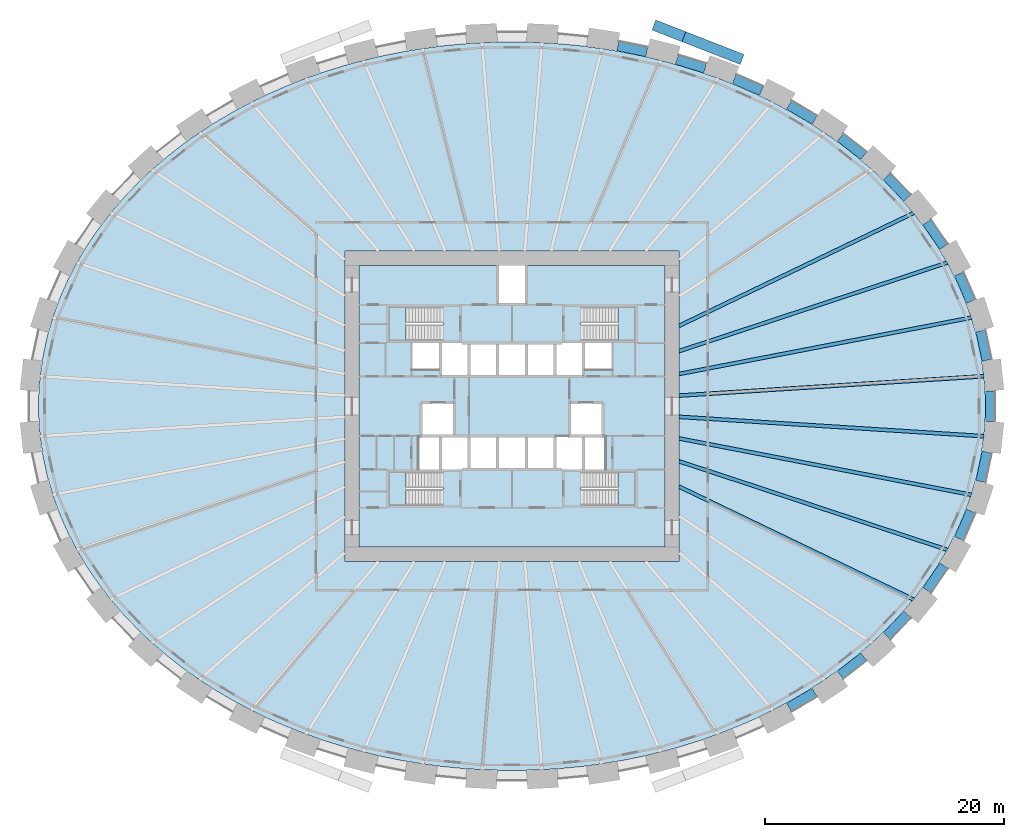
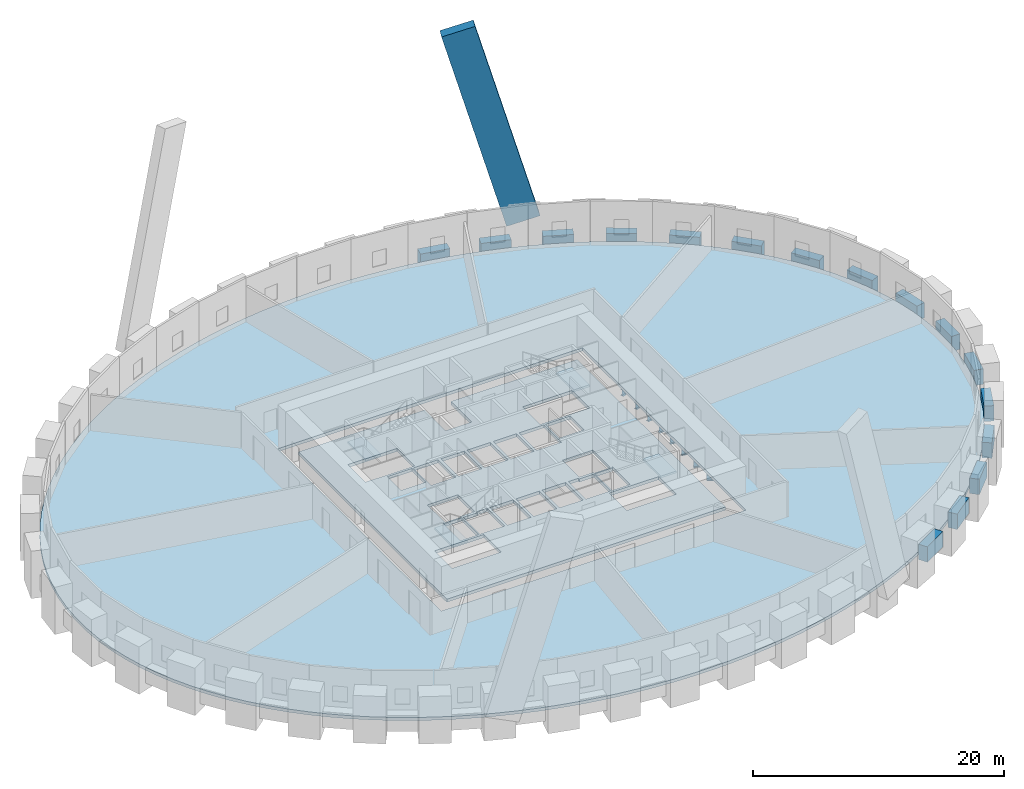
# One storey, part 2 of 9: 24 beams, 6 slabs, 1 member, 4 elements without a shape of their own.
"""IFC4 building model written with IfcOpenShell, lengths in metres."""

import ifcopenshell
import ifcopenshell.guid

model = None  # the IFC model being written
_history = None  # IfcOwnerHistory: only IFC2X3 demands one
_inside = {}  # id of a spatial element -> (the spatial element, [elements in it])
_under = {}  # id of a project, library or spatial element -> (it, [spatial elements below it])
_declared = {}  # id of a project -> (the project, [libraries it declares])
_typed = {}  # id of a type object -> (the type object, [elements of that type])
_made_of = {}  # id of a material, layer set ... -> (it, [elements and type objects made of it])


def new_model(schema):
    """Start an empty IFC model of exactly this schema.

    Asked for "IFC4X3", IfcOpenShell would pick the latest addendum, in which some entities
    have other attributes; the version numbers below select the first issue.
    IFC2X3 requires an IfcOwnerHistory on every rooted entity: one is made here for all.
    """
    global model, _history
    if schema == "IFC4X3":
        model = ifcopenshell.file(schema_version=(4, 3, 0, 0))
    else:
        model = ifcopenshell.file(schema=schema)
    _inside.clear()
    _under.clear()
    _declared.clear()
    _typed.clear()
    _made_of.clear()
    _history = None
    if model.schema == "IFC2X3":
        org = make("IfcOrganization", Name="unknown")
        user = make(
            "IfcPersonAndOrganization",
            ThePerson=make("IfcPerson", FamilyName="unknown"),
            TheOrganization=org,
        )
        app = make(
            "IfcApplication",
            ApplicationDeveloper=org,
            Version="unknown",
            ApplicationFullName="unknown",
            ApplicationIdentifier="unknown",
        )
        _history = make(
            "IfcOwnerHistory",
            OwningUser=user,
            OwningApplication=app,
            ChangeAction="ADDED",
            CreationDate=0,
        )
    return model


def make(cls, **values):
    """One entity of the class cls with the attributes given. An attribute that is None is left unset."""
    return model.create_entity(
        cls, **{name: value for name, value in values.items() if value is not None}
    )


def rooted(cls, **values):
    """An entity with a GlobalId (a new one), such as an element, a storey or a relation."""
    return make(cls, GlobalId=ifcopenshell.guid.new(), OwnerHistory=_history, **values)


def si_unit(unit_type, name, prefix=None):
    """IfcSIUnit, for example si_unit("LENGTHUNIT", "METRE", prefix="MILLI")."""
    return make("IfcSIUnit", UnitType=unit_type, Prefix=prefix, Name=name)


def assignment(units):
    """IfcUnitAssignment: the units of a project."""
    return None if units is None else make("IfcUnitAssignment", Units=units)


def point(xyz):
    """IfcCartesianPoint."""
    return None if xyz is None else make("IfcCartesianPoint", Coordinates=xyz)


def direction(xyz):
    """IfcDirection."""
    return None if xyz is None else make("IfcDirection", DirectionRatios=xyz)


def frame(location, z_axis=None, x_axis=None):
    """IfcAxis2Placement3D, a coordinate frame: its origin and axes. An axis left out is left unset."""
    return make(
        "IfcAxis2Placement3D",
        Location=point(location),
        Axis=direction(z_axis),
        RefDirection=direction(x_axis),
    )


def frame_2d(location, x_axis=None):
    """IfcAxis2Placement2D, a coordinate frame in the plane: its origin and x axis."""
    return make(
        "IfcAxis2Placement2D", Location=point(location), RefDirection=direction(x_axis)
    )


def origin():
    """The frame at (0, 0, 0) with its axes left unset."""
    return frame((0.0, 0.0, 0.0))


def origin_2d():
    """The frame at (0, 0) in the plane with its x axis left unset."""
    return frame_2d((0.0, 0.0))


def place(relative_to, where):
    """IfcLocalPlacement: puts the frame where relative to a parent placement (None: the world)."""
    return make(
        "IfcLocalPlacement", PlacementRelTo=relative_to, RelativePlacement=where
    )


def context(
    kind, dimensions, precision=None, world=None, true_north=None, identifier=None
):
    """IfcGeometricRepresentationContext, for example the 3D "Model" context."""
    return make(
        "IfcGeometricRepresentationContext",
        ContextIdentifier=identifier,
        ContextType=kind,
        CoordinateSpaceDimension=dimensions,
        Precision=precision,
        WorldCoordinateSystem=world,
        TrueNorth=true_north,
    )


def subcontext(parent, identifier, kind, view, scale=None):
    """IfcGeometricRepresentationSubContext, for example "Body" below "Model"."""
    return make(
        "IfcGeometricRepresentationSubContext",
        ContextIdentifier=identifier,
        ContextType=kind,
        ParentContext=parent,
        TargetScale=scale,
        TargetView=view,
    )


def project(units=None, contexts=None):
    """IfcProject with its units and contexts."""
    return rooted(
        "IfcProject",
        Name="project",
        RepresentationContexts=contexts,
        UnitsInContext=assignment(units),
    )


def spatial(cls, under=None, at=None, **own):
    """A site, building, storey or space (cls), placed at a placement, below another one or the project."""
    s = rooted(cls, ObjectPlacement=at, **own)
    if under is not None:
        _under.setdefault(under.id(), (under, []))[1].append(s)
    return s


def polyline(points):
    """IfcPolyline through the points."""
    return make("IfcPolyline", Points=[point(p) for p in points])


def profile(cls, at=None, kind="AREA", **sizes):
    """A parametric profile (cls). Its sizes go by their IFC names, for example OverallWidth=200.0."""
    return make(cls, ProfileType=kind, Position=at, **sizes)


def rectangle(**sizes):
    """IfcRectangleProfileDef."""
    return profile("IfcRectangleProfileDef", **sizes)


def i_section(**sizes):
    """IfcIShapeProfileDef."""
    return profile("IfcIShapeProfileDef", **sizes)


def outline(outer, holes=None, kind="AREA"):
    """IfcArbitraryClosedProfileDef: a profile drawn as a closed curve; with holes, ...WithVoids."""
    if holes is None:
        return make("IfcArbitraryClosedProfileDef", ProfileType=kind, OuterCurve=outer)
    return make(
        "IfcArbitraryProfileDefWithVoids",
        ProfileType=kind,
        OuterCurve=outer,
        InnerCurves=holes,
    )


def extrude(swept, where, along, depth):
    """IfcExtrudedAreaSolid: the profile swept, set in the frame where, extruded along a direction by depth."""
    return make(
        "IfcExtrudedAreaSolid",
        SweptArea=swept,
        Position=where,
        ExtrudedDirection=direction(along),
        Depth=depth,
    )


def shape(context_of_items, identifier, shape_type, items):
    """IfcShapeRepresentation: the items that make up one representation, for example the "Body"."""
    return make(
        "IfcShapeRepresentation",
        ContextOfItems=context_of_items,
        RepresentationIdentifier=identifier,
        RepresentationType=shape_type,
        Items=items,
    )


def source(mapping_origin, context_of_items, identifier, shape_type, items):
    """IfcRepresentationMap: a shape defined once, which mapped items show again and again."""
    return make(
        "IfcRepresentationMap",
        MappingOrigin=mapping_origin,
        MappedRepresentation=shape(context_of_items, identifier, shape_type, items),
    )


def transform(
    local_origin,
    x_axis=None,
    y_axis=None,
    z_axis=None,
    scale=None,
    scale2=None,
    scale3=None,
    uniform=True,
):
    """IfcCartesianTransformationOperator3D, or its non-uniform kind. x_axis, y_axis, z_axis: its Axis1, 2, 3."""
    if uniform:
        return make(
            "IfcCartesianTransformationOperator3D",
            Axis1=direction(x_axis),
            Axis2=direction(y_axis),
            LocalOrigin=point(local_origin),
            Scale=scale,
            Axis3=direction(z_axis),
        )
    return make(
        "IfcCartesianTransformationOperator3DnonUniform",
        Axis1=direction(x_axis),
        Axis2=direction(y_axis),
        LocalOrigin=point(local_origin),
        Scale=scale,
        Axis3=direction(z_axis),
        Scale2=scale2,
        Scale3=scale3,
    )


def mapped(mapping_source, mapping_target):
    """IfcMappedItem: shows the shape of a source again, moved by a transform."""
    return make(
        "IfcMappedItem", MappingSource=mapping_source, MappingTarget=mapping_target
    )


def material(Name=None, Category=None):
    """IfcMaterial."""
    return make("IfcMaterial", Name=Name, Category=Category)


def layer(
    of_material, thickness, ventilated=None, Name=None, Category=None, Priority=None
):
    """IfcMaterialLayer: one layer of a wall or slab, of a material (None: an air gap)."""
    return make(
        "IfcMaterialLayer",
        Material=of_material,
        LayerThickness=thickness,
        IsVentilated=ventilated,
        Name=Name,
        Category=Category,
        Priority=Priority,
    )


def layer_set(layers, Name=None):
    """IfcMaterialLayerSet."""
    return make("IfcMaterialLayerSet", MaterialLayers=layers, LayerSetName=Name)


def material_profile(
    of_material, cross_section, Name=None, Category=None, Priority=None
):
    """IfcMaterialProfile: a cross section and its material."""
    return make(
        "IfcMaterialProfile",
        Name=Name,
        Material=of_material,
        Profile=cross_section,
        Priority=Priority,
        Category=Category,
    )


def profile_set(profiles, Name=None, composite=None):
    """IfcMaterialProfileSet."""
    return make(
        "IfcMaterialProfileSet",
        Name=Name,
        MaterialProfiles=profiles,
        CompositeProfile=composite,
    )


def made_of(thing, what):
    """Note that an element or type object is made of a material, layer set ...; save() writes the relation."""
    if what is not None:
        _made_of.setdefault(what.id(), (what, []))[1].append(thing)
    return thing


def type_object(cls, material=None, **own):
    """A type object (cls), such as IfcWallType, which elements share."""
    return made_of(rooted(cls, **own), material)


def element(
    cls,
    number,
    at=None,
    inside=None,
    cuts=None,
    type_object=None,
    material=None,
    context=None,
    identifier="Body",
    shape_type=None,
    held_by="IfcProductDefinitionShape",
    body=None,
    shapes=None,
    **own,
):
    """One element of the class cls, such as IfcWall. Its Tag is "e" and its number.

    at: its placement. inside: the storey or other place that contains it. cuts: it is an
    opening in that element (IfcRelVoidsElement). A single representation is given by context,
    identifier, shape_type and body (its items); several are given by shapes. held_by: the class
    of the entity that holds the representations. save() writes the other relations.
    """
    e = rooted(cls, Tag="e%d" % number, ObjectPlacement=at, **own)
    if body is not None:
        shapes = [shape(context, identifier, shape_type, body)]
    if shapes is not None:
        e.Representation = make(held_by, Representations=shapes)
    if inside is not None:
        _inside.setdefault(inside.id(), (inside, []))[1].append(e)
    if cuts is not None:
        rooted(
            "IfcRelVoidsElement", RelatingBuildingElement=cuts, RelatedOpeningElement=e
        )
    if type_object is not None:
        _typed.setdefault(type_object.id(), (type_object, []))[1].append(e)
    return made_of(e, material)


def aggregate(whole, parts):
    """IfcRelAggregates: a whole, such as a stair, and the parts it consists of."""
    return rooted("IfcRelAggregates", RelatingObject=whole, RelatedObjects=parts)


def save(model, path):
    """Write the relations noted so far, then the file.

    IfcRelAggregates (storeys below a building ...), IfcRelContainedInSpatialStructure (elements
    in a storey), IfcRelDefinesByType, IfcRelAssociatesMaterial and IfcRelDeclares: one each for
    every whole, place, type object, material and project.
    """
    for whole, parts in _under.values():
        aggregate(whole, parts)
    for where, things in _inside.values():
        rooted(
            "IfcRelContainedInSpatialStructure",
            RelatedElements=things,
            RelatingStructure=where,
        )
    for kind, things in _typed.values():
        rooted("IfcRelDefinesByType", RelatedObjects=things, RelatingType=kind)
    for what, things in _made_of.values():
        rooted("IfcRelAssociatesMaterial", RelatedObjects=things, RelatingMaterial=what)
    for by, libraries in _declared.values():
        rooted("IfcRelDeclares", RelatingContext=by, RelatedDefinitions=libraries)
    model.write(path)


model = new_model("IFC4")

# Units and contexts
model_context = context("Model", 3, precision=1e-05, world=origin(), true_north=direction((0.0, 1.0)))
body_context = subcontext(model_context, "Body", "Model", "MODEL_VIEW")
ifc_project = project(units=[si_unit("LENGTHUNIT", "METRE"), si_unit("AREAUNIT", "SQUARE_METRE"), si_unit("VOLUMEUNIT", "CUBIC_METRE"), si_unit("PLANEANGLEUNIT", "RADIAN"), si_unit("MASSUNIT", "GRAM", prefix="KILO")], contexts=[model_context])

# Site, building, storey
site_placement = place(None, origin())
site = spatial("IfcSite", under=ifc_project, at=site_placement, CompositionType="ELEMENT")
building_placement = place(site_placement, origin())
building = spatial("IfcBuilding", under=site, at=building_placement, Name="Embergate Tower", CompositionType="ELEMENT")
storey_placement = place(building_placement, frame((0.0, 0.0, 53.60009765625)))
storey = spatial("IfcBuildingStorey", under=building, at=storey_placement, Name="L09", CompositionType="ELEMENT", Elevation=53.60009765625)

# Beams
ifc_material_1 = material(Name="Concrete C70", Category="concrete")
ifc_material_profile_1 = material_profile(ifc_material_1, rectangle(XDim=0.800048828125, YDim=1.5, at=origin_2d()), Name="RC 800x1500")
ifc_profile_set_1 = profile_set([ifc_material_profile_1], Name="Concrete C70")
beam_type_1 = type_object("IfcBeamType", Name="Spandrel beam RC 800x1500 C70", PredefinedType="BEAM", material=ifc_profile_set_1)
shared_shape_1 = source(origin(), body_context, "Body", "SweptSolid", [
    extrude(rectangle(XDim=0.800048828125, YDim=1.5, at=origin_2d()), origin(), (0.0, 0.0, 1.0), 2.51611328125),
])
for number, where, z_axis, x_axis, name in (
    (1, (39.764892578125, 3.843994140625, 0.0), (-0.210165177079, 0.977665893004, 0.0), (-0.977665893004, -0.210165177079, 0.0), "SPN-L09-00"),
    (2, (39.236083984375, -6.303955078125, 0.0), (0.210165177079, 0.977665893004, 0.0), (-0.977665893004, 0.210165177079, 0.0), "SPN-L09-42"),
):
    element("IfcBeam", number, at=place(storey_placement, frame(where, z_axis=z_axis, x_axis=x_axis)), inside=storey, type_object=beam_type_1, Name=name, PredefinedType="BEAM", context=body_context, shape_type="MappedRepresentation", body=[
        mapped(shared_shape_1, transform((0.0, 0.0, 0.0))),
    ])
shared_shape_2 = source(origin(), body_context, "Body", "SweptSolid", [
    extrude(rectangle(XDim=0.800048828125, YDim=1.5, at=origin_2d()), origin(), (0.0, 0.0, 1.0), 2.510986328125),
])
for number, where, z_axis, x_axis, name in (
    (3, (38.43603515625, 8.778076171875, 0.0), (-0.401451193612, 0.915880417493, 0.0), (-0.915880417493, -0.401451193612, 0.0), "SPN-L09-01"),
    (4, (37.427978515625, -11.077880859375, 0.0), (0.401451193612, 0.915880417493, 0.0), (-0.915880417493, 0.401451193612, 0.0), "SPN-L09-41"),
):
    element("IfcBeam", number, at=place(storey_placement, frame(where, z_axis=z_axis, x_axis=x_axis)), inside=storey, type_object=beam_type_1, Name=name, PredefinedType="BEAM", context=body_context, shape_type="MappedRepresentation", body=[
        mapped(shared_shape_2, transform((0.0, 0.0, 0.0))),
    ])
shared_shape_3 = source(origin(), body_context, "Body", "SweptSolid", [
    extrude(rectangle(XDim=0.800048828125, YDim=1.5, at=origin_2d()), origin(), (0.0, 0.0, 1.0), 2.502197265625),
])
for number, where, z_axis, x_axis, name in (
    (5, (36.152099609375, 13.343017578125, 0.0), (-0.562310021407, 0.82692650207, 0.0), (-0.82692650207, -0.562310021407, 0.0), "SPN-L09-02"),
    (6, (34.7451171875, -15.412109375, 0.0), (0.562310021407, 0.82692650207, 0.0), (-0.82692650207, 0.562310021407, 0.0), "SPN-L09-40"),
):
    element("IfcBeam", number, at=place(storey_placement, frame(where, z_axis=z_axis, x_axis=x_axis)), inside=storey, type_object=beam_type_1, Name=name, PredefinedType="BEAM", context=body_context, shape_type="MappedRepresentation", body=[
        mapped(shared_shape_3, transform((0.0, 0.0, 0.0))),
    ])
shared_shape_4 = source(origin(), body_context, "Body", "SweptSolid", [
    extrude(rectangle(XDim=0.800048828125, YDim=1.5, at=origin_2d()), origin(), (0.0, 0.0, 1.0), 2.495361328125),
])
for number, where, z_axis, x_axis, name in (
    (7, (33.111083984375, 17.43408203125, 0.0), (-0.690128960847, 0.723686408191, 0.0), (-0.723686408191, -0.690128960847, 0.0), "SPN-L09-03"),
    (8, (31.388916015625, -19.239990234375, 0.0), (0.690128960847, 0.723686408191, 0.0), (-0.723686408191, 0.690128960847, 0.0), "SPN-L09-39"),
):
    element("IfcBeam", number, at=place(storey_placement, frame(where, z_axis=z_axis, x_axis=x_axis)), inside=storey, type_object=beam_type_1, Name=name, PredefinedType="BEAM", context=body_context, shape_type="MappedRepresentation", body=[
        mapped(shared_shape_4, transform((0.0, 0.0, 0.0))),
    ])
shared_shape_5 = source(origin(), body_context, "Body", "SweptSolid", [
    extrude(rectangle(XDim=0.800048828125, YDim=1.5, at=origin_2d()), origin(), (0.0, 0.0, 1.0), 2.4873046875),
])
for number, where, z_axis, x_axis, name in (
    (9, (29.447998046875, 20.970947265625, 0.0), (-0.788405187861, 0.615156288885, 0.0), (-0.615156288885, -0.788405187861, 0.0), "SPN-L09-04"),
    (10, (27.487060546875, -22.5009765625, 0.0), (0.788405187861, 0.615156288885, 0.0), (-0.615156288885, 0.788405187861, 0.0), "SPN-L09-38"),
):
    element("IfcBeam", number, at=place(storey_placement, frame(where, z_axis=z_axis, x_axis=x_axis)), inside=storey, type_object=beam_type_1, Name=name, PredefinedType="BEAM", context=body_context, shape_type="MappedRepresentation", body=[
        mapped(shared_shape_5, transform((0.0, 0.0, 0.0))),
    ])
shared_shape_6 = source(origin(), body_context, "Body", "SweptSolid", [
    extrude(rectangle(XDim=0.800048828125, YDim=1.5, at=origin_2d()), origin(), (0.0, 0.0, 1.0), 2.4814453125),
])
for number, where, z_axis, x_axis, name in (
    (11, (25.3369140625, 23.962890625, 0.0), (-0.861956977044, 0.50698142937, 0.0), (-0.50698142937, -0.861956977044, 0.0), "SPN-L09-05"),
    (12, (23.197998046875, -25.220947265625, 0.0), (0.861956977044, 0.50698142937, 0.0), (-0.50698142937, 0.861956977044, 0.0), "SPN-L09-37"),
):
    element("IfcBeam", number, at=place(storey_placement, frame(where, z_axis=z_axis, x_axis=x_axis)), inside=storey, type_object=beam_type_1, Name=name, PredefinedType="BEAM", context=body_context, shape_type="MappedRepresentation", body=[
        mapped(shared_shape_6, transform((0.0, 0.0, 0.0))),
    ])
shared_shape_7 = source(origin(), body_context, "Body", "SweptSolid", [
    extrude(rectangle(XDim=0.800048828125, YDim=1.5, at=origin_2d()), origin(), (0.0, 0.0, 1.0), 2.47900390625),
])
beam_1_placement = place(storey_placement, frame((20.882080078125, 26.402099609375, 0.0), z_axis=(-0.916107600992, 0.400932492328, 0.0), x_axis=(-0.400932492328, -0.916107600992, 0.0)))
element("IfcBeam", 13, at=beam_1_placement, inside=storey, type_object=beam_type_1, Name="SPN-L09-06", PredefinedType="BEAM", context=body_context, shape_type="MappedRepresentation", body=[
    mapped(shared_shape_7, transform((0.0, 0.0, 0.0))),
])
shared_shape_8 = source(origin(), body_context, "Body", "SweptSolid", [
    extrude(rectangle(XDim=0.800048828125, YDim=1.5, at=origin_2d()), origin(), (0.0, 0.0, 1.0), 2.474853515625),
])
beam_2_placement = place(storey_placement, frame((16.16796875, 28.285888671875, 0.0), z_axis=(-0.954863616502, 0.297044565481, 0.0), x_axis=(-0.297044565481, -0.954863616502, 0.0)))
element("IfcBeam", 14, at=beam_2_placement, inside=storey, type_object=beam_type_1, Name="SPN-L09-07", PredefinedType="BEAM", context=body_context, shape_type="MappedRepresentation", body=[
    mapped(shared_shape_8, transform((0.0, 0.0, 0.0))),
])
shared_shape_9 = source(origin(), body_context, "Body", "SweptSolid", [
    extrude(rectangle(XDim=0.800048828125, YDim=1.5, at=origin_2d()), origin(), (0.0, 0.0, 1.0), 2.47119140625),
])
beam_3_placement = place(storey_placement, frame((11.285888671875, 29.6640625, 0.0), z_axis=(-0.980481752211, 0.196610105492, 0.0), x_axis=(-0.196610105492, -0.980481752211, 0.0)))
element("IfcBeam", 15, at=beam_3_placement, inside=storey, type_object=beam_type_1, Name="SPN-L09-08", PredefinedType="BEAM", context=body_context, shape_type="MappedRepresentation", body=[
    mapped(shared_shape_9, transform((0.0, 0.0, 0.0))),
])
shared_shape_10 = source(origin(), body_context, "Body", "SweptSolid", [
    extrude(rectangle(XDim=0.800048828125, YDim=1.5, at=origin_2d()), origin(), (0.0, 0.0, 1.0), 2.51806640625),
])
beam_4_placement = place(storey_placement, frame((40.0400390625, -1.259033203125, 0.0), z_axis=(0.0, 1.0, 0.0), x_axis=(-1.0, 0.0, 0.0)))
element("IfcBeam", 16, at=beam_4_placement, inside=storey, type_object=beam_type_1, Name="SPN-L09-43", PredefinedType="BEAM", context=body_context, shape_type="MappedRepresentation", body=[
    mapped(shared_shape_10, transform((0.0, 0.0, 0.0))),
])
ifc_material_2 = material(Name="Steel Q355B", Category="steel")
ifc_material_profile_2 = material_profile(ifc_material_2, i_section(OverallWidth=0.300048828125, OverallDepth=0.587890625, WebThickness=0.011962890625, FlangeThickness=0.02001953125, FilletRadius=0.012939453125, at=origin_2d()), Name="HM 588x300x12x20")
ifc_profile_set_2 = profile_set([ifc_material_profile_2], Name="Steel Q355 grade B")
beam_type_2 = type_object("IfcBeamType", Name="Plant girder HM 588x300x12x20", PredefinedType="BEAM", material=ifc_profile_set_2)
shared_shape_11 = source(origin(), body_context, "Body", "SweptSolid", [
    extrude(i_section(OverallWidth=0.300048828125, OverallDepth=0.587890625, WebThickness=0.011962890625, FlangeThickness=0.02001953125, FilletRadius=0.012939453125, at=origin_2d()), origin(), (0.0, 0.0, 1.0), 25.571533203125),
])
for number, where, z_axis, x_axis, name in (
    (17, (39.52001953125, 2.510009765625, -0.593994140625), (-0.997988535507, -0.063394660631, 0.0), (0.063394660631, -0.997988535507, 0.0), "GIR-L09-00"),
    (18, (39.52001953125, -2.510009765625, -0.593994140625), (-0.997988535507, 0.063394660631, 0.0), (-0.063394660631, -0.997988535507, 0.0), "GIR-L09-43"),
):
    element("IfcBeam", number, at=place(storey_placement, frame(where, z_axis=z_axis, x_axis=x_axis)), inside=storey, type_object=beam_type_2, Name=name, PredefinedType="BEAM", context=body_context, shape_type="MappedRepresentation", body=[
        mapped(shared_shape_11, transform((0.0, 0.0, 0.0))),
    ])
shared_shape_12 = source(origin(), body_context, "Body", "SweptSolid", [
    extrude(i_section(OverallWidth=0.300048828125, OverallDepth=0.587890625, WebThickness=0.011962890625, FlangeThickness=0.02001953125, FilletRadius=0.012939453125, at=origin_2d()), origin(), (0.0, 0.0, 1.0), 24.9150390625),
])
for number, where, z_axis, x_axis, name in (
    (19, (38.464111328125, 7.419921875, -0.593994140625), (-0.981899424358, -0.189403063454, 0.0), (0.189403063454, -0.981899424358, 0.0), "GIR-L09-01"),
    (20, (38.464111328125, -7.419921875, -0.593994140625), (-0.981899424358, 0.189403063454, 0.0), (-0.189403063454, -0.981899424358, 0.0), "GIR-L09-42"),
):
    element("IfcBeam", number, at=place(storey_placement, frame(where, z_axis=z_axis, x_axis=x_axis)), inside=storey, type_object=beam_type_2, Name=name, PredefinedType="BEAM", context=body_context, shape_type="MappedRepresentation", body=[
        mapped(shared_shape_12, transform((0.0, 0.0, 0.0))),
    ])
shared_shape_13 = source(origin(), body_context, "Body", "SweptSolid", [
    extrude(i_section(OverallWidth=0.300048828125, OverallDepth=0.587890625, WebThickness=0.011962890625, FlangeThickness=0.02001953125, FilletRadius=0.012939453125, at=origin_2d()), origin(), (0.0, 0.0, 1.0), 23.63623046875),
])
for number, where, z_axis, x_axis, name in (
    (21, (36.447021484375, 12.02001953125, -0.593994140625), (-0.949684547266, -0.313208015039, 0.0), (0.313208015039, -0.949684547266, 0.0), "GIR-L09-02"),
    (22, (36.447021484375, -12.02001953125, -0.593994140625), (-0.949684547266, 0.313208015039, 0.0), (-0.313208015039, -0.949684547266, 0.0), "GIR-L09-41"),
):
    element("IfcBeam", number, at=place(storey_placement, frame(where, z_axis=z_axis, x_axis=x_axis)), inside=storey, type_object=beam_type_2, Name=name, PredefinedType="BEAM", context=body_context, shape_type="MappedRepresentation", body=[
        mapped(shared_shape_13, transform((0.0, 0.0, 0.0))),
    ])
shared_shape_14 = source(origin(), body_context, "Body", "SweptSolid", [
    extrude(i_section(OverallWidth=0.300048828125, OverallDepth=0.587890625, WebThickness=0.011962890625, FlangeThickness=0.02001953125, FilletRadius=0.012939453125, at=origin_2d()), origin(), (0.0, 0.0, 1.0), 21.774169921875),
])
for number, where, z_axis, x_axis, name in (
    (23, (33.6220703125, 16.174072265625, -0.593994140625), (-0.901157760009, -0.433491282007, 0.0), (0.433491282007, -0.901157760009, 0.0), "GIR-L09-03"),
    (24, (33.6220703125, -16.174072265625, -0.593994140625), (-0.901157760009, 0.433491282007, 0.0), (-0.433491282007, -0.901157760009, 0.0), "GIR-L09-40"),
):
    element("IfcBeam", number, at=place(storey_placement, frame(where, z_axis=z_axis, x_axis=x_axis)), inside=storey, type_object=beam_type_2, Name=name, PredefinedType="BEAM", context=body_context, shape_type="MappedRepresentation", body=[
        mapped(shared_shape_14, transform((0.0, 0.0, 0.0))),
    ])

# Member
ifc_material_profile_3 = material_profile(ifc_material_1, rectangle(XDim=0.89990234375, YDim=2.800048828125, at=origin_2d()), Name="RC 900x2800")
ifc_profile_set_3 = profile_set([ifc_material_profile_3], Name="Concrete C70")
member_type = type_object("IfcMemberType", Name="Lattice diagonal terracotta-faced RC 900x2800", PredefinedType="BRACE", material=ifc_profile_set_3)
shared_shape_15 = source(origin(), body_context, "Body", "SweptSolid", [
    extrude(rectangle(XDim=0.89990234375, YDim=2.800048828125, at=origin_2d()), origin(), (0.0, 0.0, 1.0), 19.65771484375),
])
member_placement = place(storey_placement, frame((18.01611328125, 29.529052734375, 1.185791015625), z_axis=(-0.248206848968, 0.096860906435, 0.963852335646), x_axis=(-0.363541498988, -0.931578004524, 0.0)))
element("IfcMember", 25, at=member_placement, inside=storey, type_object=member_type, Name="BRP-N-0-02", PredefinedType="BRACE", context=body_context, shape_type="MappedRepresentation", body=[
    mapped(shared_shape_15, transform((0.0, 0.0, 0.0))),
])

# Slab
ifc_material_3 = material(Name="Concrete C50", Category="concrete")
ifc_layer_1 = layer(ifc_material_3, 0.300048828125)
ifc_layer_set_1 = layer_set([ifc_layer_1], Name="Concrete C50")
slab_type_1 = type_object("IfcSlabType", Name="Plant floor slab C50 300", PredefinedType="FLOOR", material=ifc_layer_set_1)
shared_shape_16 = source(origin(), body_context, "Body", "SweptSolid", [
    extrude(outline(polyline([(0.0, 0.0), (1.67822265625, 0.0), (3.35302734375, 0.053955078125), (5.030029296875, 0.1640625), (6.69921875, 0.328125), (8.358154296875, 0.546142578125), (10.01904296875, 0.822021484375), (11.6640625, 1.151123046875), (13.2880859375, 1.53515625), (14.916015625, 1.97998046875), (16.51708984375, 2.47802734375), (18.089111328125, 3.030029296875), (19.6630859375, 3.649169921875), (21.2001953125, 4.321044921875), (22.696044921875, 5.045166015625), (24.191162109375, 5.843017578125), (25.63623046875, 6.693115234375), (27.030029296875, 7.593017578125), (28.4140625, 8.574951171875), (29.735107421875, 9.607177734375), (30.9921875, 10.68603515625), (32.22607421875, 11.85400390625), (33.383056640625, 13.067138671875), (34.460205078125, 14.322998046875), (35.494140625, 15.670166015625), (36.43701171875, 17.05615234375), (37.2861328125, 18.47705078125), (38.064208984375, 19.982177734375), (38.737060546875, 21.51708984375), (39.30322265625, 23.0771484375), (39.77099609375, 24.697998046875), (40.123046875, 26.336181640625), (40.359130859375, 27.986083984375), (40.47900390625, 29.6591796875), (40.47900390625, 31.3349609375), (40.359130859375, 33.008056640625), (40.123046875, 34.657958984375), (39.77099609375, 36.296142578125), (39.30322265625, 37.9169921875), (38.737060546875, 39.47705078125), (38.064208984375, 41.011962890625), (37.2861328125, 42.51708984375), (36.43701171875, 43.93798828125), (35.494140625, 45.323974609375), (34.460205078125, 46.671142578125), (33.383056640625, 47.927001953125), (32.22607421875, 49.14013671875), (30.9921875, 50.30810546875), (29.735107421875, 51.386962890625), (28.4140625, 52.419189453125), (27.030029296875, 53.401123046875), (25.63623046875, 54.301025390625), (24.191162109375, 55.151123046875), (22.696044921875, 55.948974609375), (21.2001953125, 56.673095703125), (19.6630859375, 57.344970703125), (18.089111328125, 57.964111328125), (16.51708984375, 58.51611328125), (14.916015625, 59.01416015625), (13.2880859375, 59.458984375), (11.6640625, 59.843017578125), (10.01904296875, 60.172119140625), (8.358154296875, 60.447998046875), (6.69921875, 60.666015625), (5.030029296875, 60.830078125), (3.35302734375, 60.940185546875), (1.67822265625, 60.994140625), (0.0, 60.994140625), (-1.6748046875, 60.940185546875), (-3.351806640625, 60.830078125), (-5.02099609375, 60.666015625), (-6.679931640625, 60.447998046875), (-8.3408203125, 60.172119140625), (-9.98583984375, 59.843017578125), (-11.60986328125, 59.458984375), (-13.23779296875, 59.01416015625), (-14.8388671875, 58.51611328125), (-16.410888671875, 57.964111328125), (-17.98486328125, 57.344970703125), (-19.52197265625, 56.673095703125), (-21.017822265625, 55.948974609375), (-22.512939453125, 55.151123046875), (-23.9580078125, 54.301025390625), (-25.351806640625, 53.401123046875), (-26.73583984375, 52.419189453125), (-28.056884765625, 51.386962890625), (-29.31396484375, 50.30810546875), (-30.5478515625, 49.14013671875), (-31.704833984375, 47.927001953125), (-32.781982421875, 46.671142578125), (-33.81591796875, 45.323974609375), (-34.7587890625, 43.93798828125), (-35.60791015625, 42.51708984375), (-36.385986328125, 41.011962890625), (-37.058837890625, 39.47705078125), (-37.625, 37.9169921875), (-38.0927734375, 36.296142578125), (-38.44482421875, 34.657958984375), (-38.680908203125, 33.008056640625), (-38.80078125, 31.3349609375), (-38.80078125, 29.6591796875), (-38.680908203125, 27.986083984375), (-38.44482421875, 26.336181640625), (-38.0927734375, 24.697998046875), (-37.625, 23.0771484375), (-37.058837890625, 21.51708984375), (-36.385986328125, 19.982177734375), (-35.60791015625, 18.47705078125), (-34.7587890625, 17.05615234375), (-33.81591796875, 15.670166015625), (-32.781982421875, 14.322998046875), (-31.704833984375, 13.067138671875), (-30.5478515625, 11.85400390625), (-29.31396484375, 10.68603515625), (-28.056884765625, 9.607177734375), (-26.73583984375, 8.574951171875), (-25.351806640625, 7.593017578125), (-23.9580078125, 6.693115234375), (-22.512939453125, 5.843017578125), (-21.017822265625, 5.045166015625), (-19.52197265625, 4.321044921875), (-17.98486328125, 3.649169921875), (-16.410888671875, 3.030029296875), (-14.8388671875, 2.47802734375), (-13.23779296875, 1.97998046875), (-11.60986328125, 1.53515625), (-9.98583984375, 1.151123046875), (-8.3408203125, 0.822021484375), (-6.679931640625, 0.546142578125), (-5.02099609375, 0.328125), (-3.351806640625, 0.1640625), (-1.6748046875, 0.053955078125), (0.0, 0.0)]), holes=[polyline([(-13.160888671875, 17.4970703125), (-13.160888671875, 43.4970703125), (14.839111328125, 43.4970703125), (14.839111328125, 17.4970703125), (-13.160888671875, 17.4970703125)])]), origin(), (0.0, 0.0, 1.0), 0.300048828125),
])
slab_1_placement = place(storey_placement, frame((-0.839111328125, -30.4970703125, -0.300048828125)))
element("IfcSlab", 26, at=slab_1_placement, inside=storey, type_object=slab_type_1, Name="SLB-L09-00", PredefinedType="FLOOR", context=body_context, shape_type="MappedRepresentation", body=[
    mapped(shared_shape_16, transform((0.0, 0.0, 0.0))),
])

# Stair, slab
ifc_material_4 = material(Name="Exit stair")
stair_type = type_object("IfcStairType", Name="Exit stair", PredefinedType="HALF_TURN_STAIR", material=ifc_material_4)
stair_1_placement = place(storey_placement, origin())
stair_1 = element("IfcStair", 27, at=stair_1_placement, inside=storey, type_object=stair_type, Name="L09 Exit stair 1", PredefinedType="HALF_TURN_STAIR")
ifc_material_5 = material(Name="Concrete C40", Category="concrete")
ifc_layer_2 = layer(ifc_material_5, 0.199951171875)
ifc_layer_set_2 = layer_set([ifc_layer_2], Name="Concrete C40")
slab_type_2 = type_object("IfcSlabType", Name="Stair landing reinforced concrete", PredefinedType="LANDING", material=ifc_layer_set_2)
shared_shape_17 = source(origin(), body_context, "Body", "SweptSolid", [
    extrude(outline(polyline([(0.0, 0.0), (1.429931640625, 0.0), (1.429931640625, 2.800048828125), (0.0, 2.800048828125), (0.0, 0.0)])), origin(), (0.0, 0.0, 1.0), 0.2001953125),
])
slab_2_placement = place(storey_placement, frame((-10.300048828125, 5.5, 2.0498046875)))
slab_2 = element("IfcSlab", 28, at=slab_2_placement, type_object=slab_type_2, Name="ST1 landing 1", PredefinedType="LANDING", context=body_context, shape_type="MappedRepresentation", body=[
    mapped(shared_shape_17, transform((0.0, 0.0, 0.0))),
])
aggregate(stair_1, [slab_2])

stair_2_placement = place(storey_placement, origin())
stair_2 = element("IfcStair", 29, at=stair_2_placement, inside=storey, type_object=stair_type, Name="L09 Exit stair 2", PredefinedType="HALF_TURN_STAIR")
slab_3_placement = place(storey_placement, frame((8.8701171875, 5.5, 2.0498046875)))
slab_3 = element("IfcSlab", 30, at=slab_3_placement, type_object=slab_type_2, Name="ST2 landing 1", PredefinedType="LANDING", context=body_context, shape_type="MappedRepresentation", body=[
    mapped(shared_shape_17, transform((0.0, 0.0, 0.0))),
])
aggregate(stair_2, [slab_3])

stair_3_placement = place(storey_placement, origin())
stair_3 = element("IfcStair", 31, at=stair_3_placement, inside=storey, type_object=stair_type, Name="L09 Exit stair 3", PredefinedType="HALF_TURN_STAIR")
slab_4_placement = place(storey_placement, frame((-10.300048828125, -8.300048828125, 2.0498046875)))
slab_4 = element("IfcSlab", 32, at=slab_4_placement, type_object=slab_type_2, Name="ST3 landing 1", PredefinedType="LANDING", context=body_context, shape_type="MappedRepresentation", body=[
    mapped(shared_shape_17, transform((0.0, 0.0, 0.0))),
])
aggregate(stair_3, [slab_4])

stair_4_placement = place(storey_placement, origin())
stair_4 = element("IfcStair", 33, at=stair_4_placement, inside=storey, type_object=stair_type, Name="L09 Exit stair 4", PredefinedType="HALF_TURN_STAIR")
slab_5_placement = place(storey_placement, frame((8.8701171875, -8.300048828125, 2.0498046875)))
slab_5 = element("IfcSlab", 34, at=slab_5_placement, type_object=slab_type_2, Name="ST4 landing 1", PredefinedType="LANDING", context=body_context, shape_type="MappedRepresentation", body=[
    mapped(shared_shape_17, transform((0.0, 0.0, 0.0))),
])
aggregate(stair_4, [slab_5])

# Slab
ifc_layer_3 = layer(ifc_material_5, 0.300048828125)
ifc_layer_set_3 = layer_set([ifc_layer_3], Name="Concrete C40")
slab_type_3 = type_object("IfcSlabType", Name="Core floor slab 300 reinforced concrete", PredefinedType="FLOOR", material=ifc_layer_set_3)
shared_shape_18 = source(origin(), body_context, "Body", "SweptSolid", [
    extrude(outline(polyline([(0.0, 0.0), (25.60009765625, 0.0), (25.60009765625, 23.60009765625), (14.0, 23.60009765625), (14.0, 20.300048828125), (11.60009765625, 20.300048828125), (11.60009765625, 23.60009765625), (0.0, 23.60009765625), (0.0, 0.0)]), holes=[polyline([(2.5, 3.5), (2.5, 6.300048828125), (7.0400390625, 6.300048828125), (7.0400390625, 3.5), (2.5, 3.5)]), polyline([(18.56005859375, 3.5), (18.56005859375, 6.300048828125), (23.10009765625, 6.300048828125), (23.10009765625, 3.5), (18.56005859375, 3.5)]), polyline([(5.0, 6.5), (5.0, 9.300048828125), (5.074951171875, 9.300048828125), (5.074951171875, 9.175048828125), (6.675048828125, 9.175048828125), (6.675048828125, 6.5), (5.0, 6.5)]), polyline([(6.800048828125, 6.5), (6.800048828125, 9.175048828125), (8.125, 9.175048828125), (8.125, 9.300048828125), (9.074951171875, 9.300048828125), (9.074951171875, 6.5), (6.800048828125, 6.5)]), polyline([(9.324951171875, 6.5), (9.324951171875, 9.300048828125), (11.47509765625, 9.300048828125), (11.47509765625, 6.5), (9.324951171875, 6.5)]), polyline([(11.72509765625, 6.5), (11.72509765625, 9.300048828125), (13.875, 9.300048828125), (13.875, 6.5), (11.72509765625, 6.5)]), polyline([(14.125, 6.5), (14.125, 9.300048828125), (16.275146484375, 9.300048828125), (16.275146484375, 6.5), (14.125, 6.5)]), polyline([(16.525146484375, 6.5), (16.525146484375, 9.300048828125), (17.47509765625, 9.300048828125), (17.47509765625, 9.175048828125), (18.800048828125, 9.175048828125), (18.800048828125, 6.5), (16.525146484375, 6.5)]), polyline([(18.925048828125, 6.5), (18.925048828125, 9.175048828125), (20.525146484375, 9.175048828125), (20.525146484375, 9.300048828125), (20.60009765625, 9.300048828125), (20.60009765625, 6.5), (18.925048828125, 6.5)]), polyline([(5.199951171875, 9.300048828125), (5.199951171875, 12.10009765625), (8.0, 12.10009765625), (8.0, 9.425048828125), (6.675048828125, 9.425048828125), (6.675048828125, 9.300048828125), (5.199951171875, 9.300048828125)]), polyline([(18.925048828125, 9.300048828125), (18.925048828125, 9.425048828125), (17.60009765625, 9.425048828125), (17.60009765625, 12.10009765625), (20.400146484375, 12.10009765625), (20.400146484375, 9.300048828125), (18.925048828125, 9.300048828125)]), polyline([(6.800048828125, 14.300048828125), (6.800048828125, 17.10009765625), (9.074951171875, 17.10009765625), (9.074951171875, 14.300048828125), (6.800048828125, 14.300048828125)]), polyline([(9.324951171875, 14.300048828125), (9.324951171875, 17.10009765625), (11.47509765625, 17.10009765625), (11.47509765625, 14.300048828125), (9.324951171875, 14.300048828125)]), polyline([(11.72509765625, 14.300048828125), (11.72509765625, 17.10009765625), (13.875, 17.10009765625), (13.875, 14.300048828125), (11.72509765625, 14.300048828125)]), polyline([(14.125, 14.300048828125), (14.125, 17.10009765625), (16.275146484375, 17.10009765625), (16.275146484375, 14.300048828125), (14.125, 14.300048828125)]), polyline([(16.525146484375, 14.300048828125), (16.525146484375, 17.10009765625), (18.800048828125, 17.10009765625), (18.800048828125, 14.300048828125), (16.525146484375, 14.300048828125)]), polyline([(4.400146484375, 14.900146484375), (4.400146484375, 17.10009765625), (6.675048828125, 17.10009765625), (6.675048828125, 14.900146484375), (4.400146484375, 14.900146484375)]), polyline([(18.925048828125, 14.900146484375), (18.925048828125, 17.10009765625), (21.199951171875, 17.10009765625), (21.199951171875, 14.900146484375), (18.925048828125, 14.900146484375)]), polyline([(2.5, 17.300048828125), (2.5, 20.10009765625), (7.0400390625, 20.10009765625), (7.0400390625, 17.300048828125), (2.5, 17.300048828125)]), polyline([(18.56005859375, 17.300048828125), (18.56005859375, 20.10009765625), (23.10009765625, 20.10009765625), (23.10009765625, 17.300048828125), (18.56005859375, 17.300048828125)])]), origin(), (0.0, 0.0, 1.0), 0.300048828125),
])
slab_6_placement = place(storey_placement, frame((-12.800048828125, -11.800048828125, -0.300048828125)))
element("IfcSlab", 35, at=slab_6_placement, inside=storey, type_object=slab_type_3, Name="Core floor slab", PredefinedType="FLOOR", context=body_context, shape_type="MappedRepresentation", body=[
    mapped(shared_shape_18, transform((0.0, 0.0, 0.0))),
])

save(model, "model.ifc")
